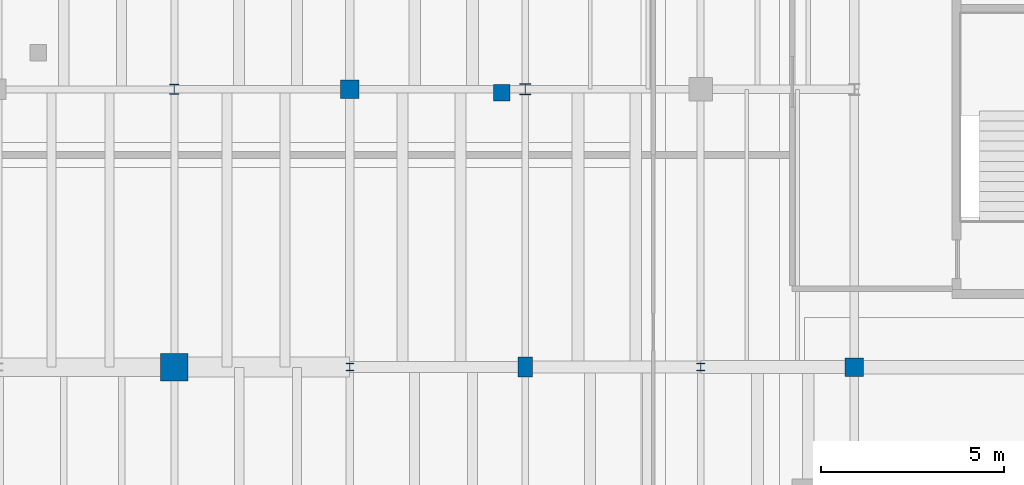
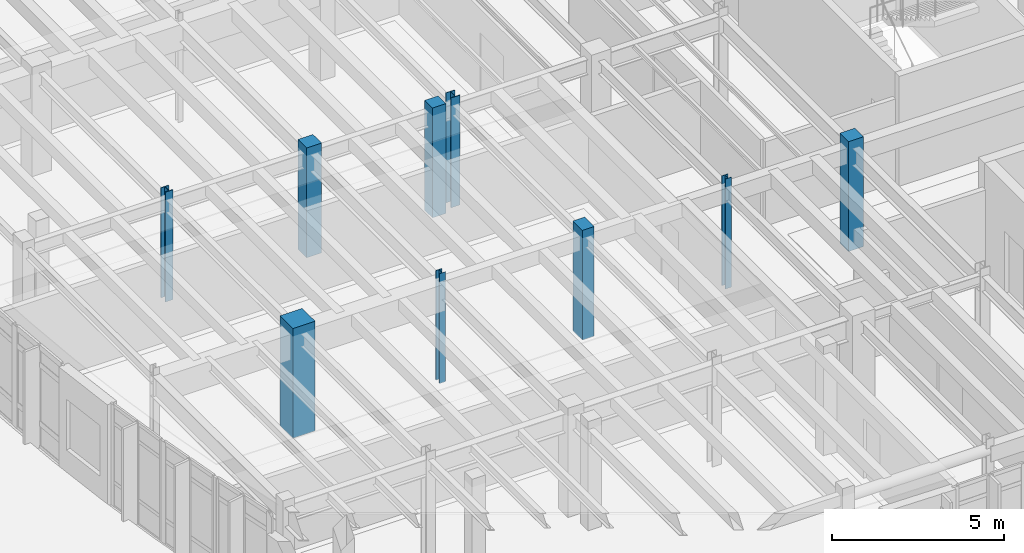
# One storey, part 12 of 111: 9 columns.
"""IFC4 building model written with IfcOpenShell, lengths in metres."""

from ifc_helpers import new_model, si_unit, direction, frame, origin, origin_2d, place, context, subcontext, project, spatial, rectangle, i_section, extrude, material, material_profile, profile_set, type_object, element, save


model = new_model("IFC4")

# Units and contexts
model_context = context("Model", 3, precision=1e-05, world=origin(), true_north=direction((0.0, 1.0)))
body_context = subcontext(model_context, "Body", "Model", "MODEL_VIEW")
ifc_project = project(units=[si_unit("LENGTHUNIT", "METRE"), si_unit("AREAUNIT", "SQUARE_METRE"), si_unit("VOLUMEUNIT", "CUBIC_METRE"), si_unit("PLANEANGLEUNIT", "RADIAN"), si_unit("MASSUNIT", "GRAM", prefix="KILO")], contexts=[model_context])

# Site, building, storey
site_placement = place(None, origin())
site = spatial("IfcSite", under=ifc_project, at=site_placement, CompositionType="ELEMENT")
building_placement = place(site_placement, origin())
building = spatial("IfcBuilding", under=site, at=building_placement, Name="Corveleigh Park Community Centre", CompositionType="ELEMENT")
storey_placement = place(building_placement, frame((0.0, 0.0, 4.800048828125)))
storey = spatial("IfcBuildingStorey", under=building, at=storey_placement, Name="L01", CompositionType="ELEMENT", Elevation=4.800048828125)

# Columns
ifc_material_1 = material(Name="Concrete C40/50", Category="concrete")
ifc_material_profile_1 = material_profile(ifc_material_1, rectangle(XDim=0.39990234375, YDim=0.550048828125, at=origin_2d()), Name="RC-400x550", Category="concrete")
ifc_profile_set_1 = profile_set([ifc_material_profile_1], Name="Concrete C40/50")
column_type_1 = type_object("IfcColumnType", Name="COL-RC-400x550", PredefinedType="COLUMN", material=ifc_profile_set_1)
column_1_placement = place(storey_placement, frame((149.0, 73.800048828125, 0.0), z_axis=(0.0, 0.0, 1.0), x_axis=(1.0, 0.0, 0.0)))
element("IfcColumn", 1, at=column_1_placement, inside=storey, type_object=column_type_1, Name="Column V4-X4Y2 L01", PredefinedType="COLUMN", context=body_context, shape_type="SweptSolid", body=[
    extrude(rectangle(XDim=0.39990234375, YDim=0.550048828125, at=origin_2d()), origin(), (0.0, 0.0, 1.0), 3.89990234375),
])
ifc_material_profile_2 = material_profile(ifc_material_1, rectangle(XDim=0.449951171875, YDim=0.449951171875, at=origin_2d()), Name="RC-450x450", Category="concrete")
ifc_profile_set_2 = profile_set([ifc_material_profile_2], Name="Concrete C40/50")
column_type_2 = type_object("IfcColumnType", Name="COL-RC-450x450", PredefinedType="COLUMN", material=ifc_profile_set_2)
column_2_placement = place(storey_placement, frame((148.35302734375, 81.300048828125, 0.0), z_axis=(0.0, 0.0, 1.0), x_axis=(1.0, 0.0, 0.0)))
element("IfcColumn", 2, at=column_2_placement, inside=storey, type_object=column_type_2, Name="External deck support pier 138 L01", PredefinedType="COLUMN", context=body_context, shape_type="SweptSolid", body=[
    extrude(rectangle(XDim=0.449951171875, YDim=0.449951171875, at=origin_2d()), origin(), (0.0, 0.0, 1.0), 3.89990234375),
])
ifc_material_profile_3 = material_profile(ifc_material_1, rectangle(XDim=0.5, YDim=0.5, at=origin_2d()), Name="RC-500x500", Category="concrete")
ifc_profile_set_3 = profile_set([ifc_material_profile_3], Name="Concrete C40/50")
column_type_3 = type_object("IfcColumnType", Name="COL-RC-500x500", PredefinedType="COLUMN", material=ifc_profile_set_3)
for number, where, z_axis, x_axis, name in (
    (3, (144.199951171875, 81.39990234375, 0.0), (0.0, 0.0, 1.0), (1.0, 0.0, 0.0), "Column V4-X3Y3 L01"),
    (4, (158.0, 73.800048828125, 0.0), (0.0, 0.0, 1.0), (1.0, 0.0, 0.0), "Column V4-X6Y2 L01"),
):
    element("IfcColumn", number, at=place(storey_placement, frame(where, z_axis=z_axis, x_axis=x_axis)), inside=storey, type_object=column_type_3, Name=name, PredefinedType="COLUMN", context=body_context, shape_type="SweptSolid", body=[
        extrude(rectangle(XDim=0.5, YDim=0.5, at=origin_2d()), origin(), (0.0, 0.0, 1.0), 3.89990234375),
    ])
ifc_material_profile_4 = material_profile(ifc_material_1, rectangle(XDim=0.75, YDim=0.75, at=origin_2d()), Name="RC-750x750", Category="concrete")
ifc_profile_set_4 = profile_set([ifc_material_profile_4], Name="Concrete C40/50")
column_type_4 = type_object("IfcColumnType", Name="COL-RC-750x750", PredefinedType="COLUMN", material=ifc_profile_set_4)
column_3_placement = place(storey_placement, frame((139.39990234375, 73.800048828125, 0.0), z_axis=(0.0, 0.0, 1.0), x_axis=(1.0, 0.0, 0.0)))
element("IfcColumn", 5, at=column_3_placement, inside=storey, type_object=column_type_4, Name="Column V4-X2Y2 L01", PredefinedType="COLUMN", context=body_context, shape_type="SweptSolid", body=[
    extrude(rectangle(XDim=0.75, YDim=0.75, at=origin_2d()), origin(), (0.0, 0.0, 1.0), 3.89990234375),
])
ifc_material_2 = material(Name="Steel S355", Category="steel")
ifc_material_profile_5 = material_profile(ifc_material_2, i_section(OverallWidth=0.204345703125, OverallDepth=0.206298828125, WebThickness=0.0078125, FlangeThickness=0.012451171875, at=origin_2d()), Name="UKC 203x203x52", Category="steel")
ifc_profile_set_5 = profile_set([ifc_material_profile_5], Name="Steel S355")
column_type_5 = type_object("IfcColumnType", Name="COL-STL-UKC203x52", PredefinedType="COLUMN", material=ifc_profile_set_5)
column_4_placement = place(storey_placement, frame((144.199951171875, 73.800048828125, 0.0), z_axis=(0.0, 0.0, 1.0), x_axis=(1.0, 0.0, 0.0)))
element("IfcColumn", 6, at=column_4_placement, inside=storey, type_object=column_type_5, Name="Column V4-X3Y2 L01", PredefinedType="COLUMN", context=body_context, shape_type="SweptSolid", body=[
    extrude(i_section(OverallWidth=0.204345703125, OverallDepth=0.206298828125, WebThickness=0.0078125, FlangeThickness=0.012451171875, at=origin_2d()), origin(), (0.0, 0.0, 1.0), 3.89990234375),
])
ifc_material_profile_6 = material_profile(ifc_material_2, i_section(OverallWidth=0.205810546875, OverallDepth=0.209716796875, WebThickness=0.009521484375, FlangeThickness=0.01416015625, at=origin_2d()), Name="UKC 203x203x60", Category="steel")
ifc_profile_set_6 = profile_set([ifc_material_profile_6], Name="Steel S355")
column_type_6 = type_object("IfcColumnType", Name="COL-STL-UKC203x60", PredefinedType="COLUMN", material=ifc_profile_set_6)
column_5_placement = place(storey_placement, frame((153.800048828125, 73.800048828125, 0.0), z_axis=(0.0, 0.0, 1.0), x_axis=(1.0, 0.0, 0.0)))
element("IfcColumn", 7, at=column_5_placement, inside=storey, type_object=column_type_6, Name="Column V4-X5Y2 L01", PredefinedType="COLUMN", context=body_context, shape_type="SweptSolid", body=[
    extrude(i_section(OverallWidth=0.205810546875, OverallDepth=0.209716796875, WebThickness=0.009521484375, FlangeThickness=0.01416015625, at=origin_2d()), origin(), (0.0, 0.0, 1.0), 3.89990234375),
])
ifc_material_profile_7 = material_profile(ifc_material_2, i_section(OverallWidth=0.26123046875, OverallDepth=0.2763671875, WebThickness=0.015380859375, FlangeThickness=0.025390625, at=origin_2d()), Name="UKC 254x254x132", Category="steel")
ifc_profile_set_7 = profile_set([ifc_material_profile_7], Name="Steel S355")
column_type_7 = type_object("IfcColumnType", Name="COL-STL-UKC254x132", PredefinedType="COLUMN", material=ifc_profile_set_7)
column_6_placement = place(storey_placement, frame((139.39990234375, 81.39990234375, 0.0), z_axis=(0.0, 0.0, 1.0), x_axis=(1.0, 0.0, 0.0)))
element("IfcColumn", 8, at=column_6_placement, inside=storey, type_object=column_type_7, Name="Column V4-X2Y3 L01", PredefinedType="COLUMN", context=body_context, shape_type="SweptSolid", body=[
    extrude(i_section(OverallWidth=0.26123046875, OverallDepth=0.2763671875, WebThickness=0.015380859375, FlangeThickness=0.025390625, at=origin_2d()), origin(), (0.0, 0.0, 1.0), 3.89990234375),
])
ifc_material_profile_8 = material_profile(ifc_material_2, i_section(OverallWidth=0.305419921875, OverallDepth=0.307861328125, WebThickness=0.010009765625, FlangeThickness=0.015380859375, at=origin_2d()), Name="UKC 305x305x97", Category="steel")
ifc_profile_set_8 = profile_set([ifc_material_profile_8], Name="Steel S355")
column_type_8 = type_object("IfcColumnType", Name="COL-STL-UKC305x97", PredefinedType="COLUMN", material=ifc_profile_set_8)
column_7_placement = place(storey_placement, frame((149.0, 81.39990234375, 0.0), z_axis=(0.0, 0.0, 1.0), x_axis=(1.0, 0.0, 0.0)))
element("IfcColumn", 9, at=column_7_placement, inside=storey, type_object=column_type_8, Name="Column V4-X4Y3 L01", PredefinedType="COLUMN", context=body_context, shape_type="SweptSolid", body=[
    extrude(i_section(OverallWidth=0.305419921875, OverallDepth=0.307861328125, WebThickness=0.010009765625, FlangeThickness=0.015380859375, at=origin_2d()), origin(), (0.0, 0.0, 1.0), 3.89990234375),
])

save(model, "model.ifc")
